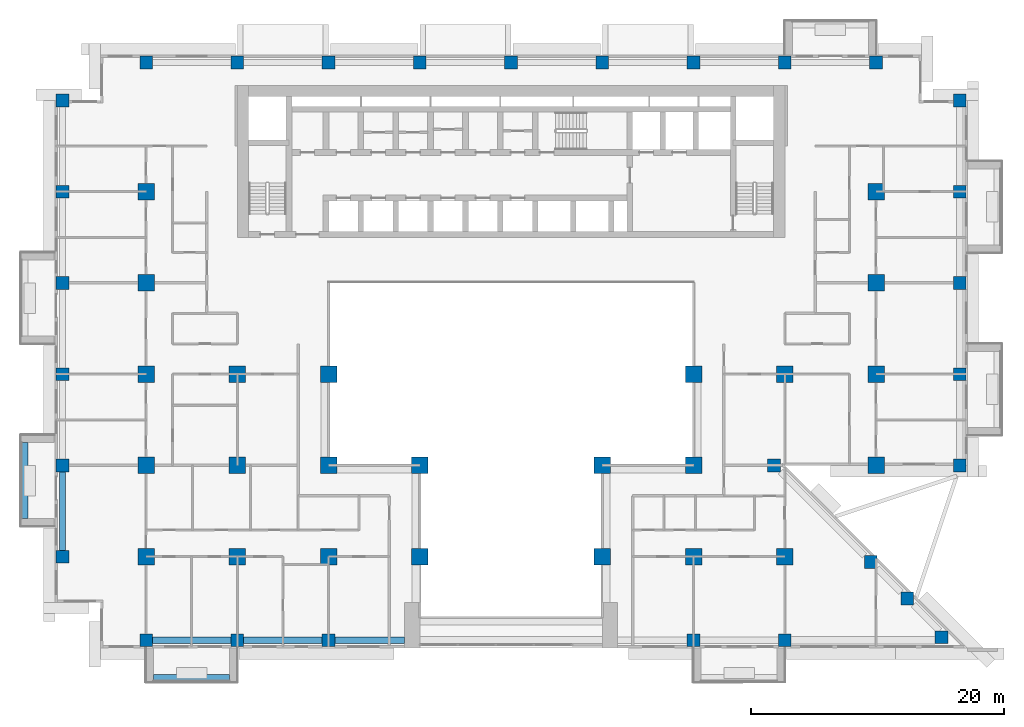
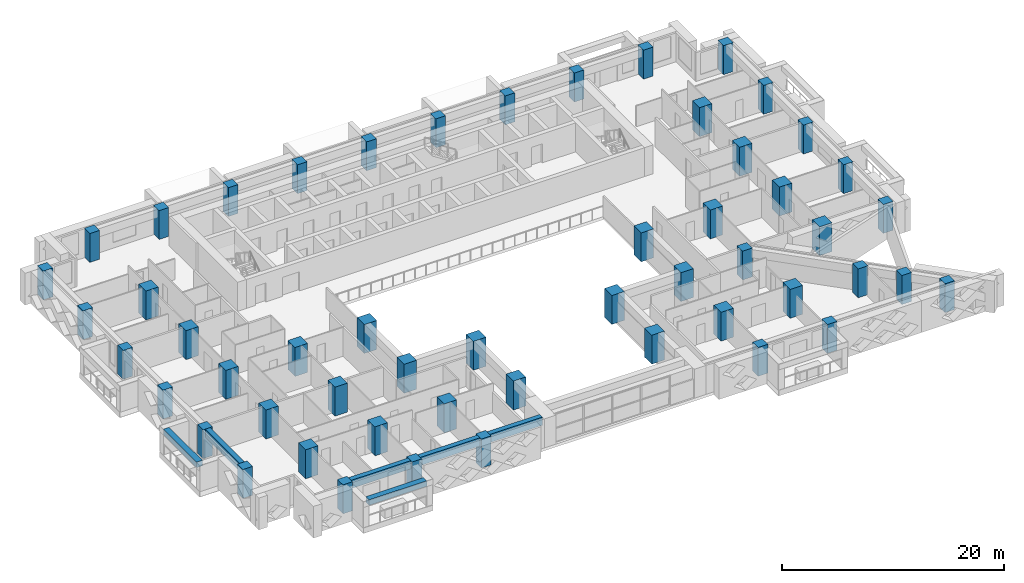
# One storey, part 1 of 16: 53 columns, 6 beams.
"""IFC4 building model written with IfcOpenShell, lengths in metres."""

from ifc_helpers import new_model, si_unit, direction, frame, origin, origin_2d, place, context, subcontext, project, spatial, rectangle, extrude, source, transform, mapped, material, material_profile, profile_set, type_object, element, save


model = new_model("IFC4")

# Units and contexts
model_context = context("Model", 3, precision=1e-05, world=origin(), true_north=direction((0.0, 1.0)))
body_context = subcontext(model_context, "Body", "Model", "MODEL_VIEW")
ifc_project = project(units=[si_unit("LENGTHUNIT", "METRE"), si_unit("AREAUNIT", "SQUARE_METRE"), si_unit("VOLUMEUNIT", "CUBIC_METRE"), si_unit("PLANEANGLEUNIT", "RADIAN"), si_unit("MASSUNIT", "GRAM", prefix="KILO")], contexts=[model_context])

# Site, building, storey
site_placement = place(None, origin())
site = spatial("IfcSite", under=ifc_project, at=site_placement, CompositionType="ELEMENT")
building_placement = place(site_placement, origin())
building = spatial("IfcBuilding", under=site, at=building_placement, Name="Saffron Iwan Residences", CompositionType="ELEMENT")
storey_placement = place(building_placement, frame((0.0, 0.0, 65.5)))
storey = spatial("IfcBuildingStorey", under=building, at=storey_placement, Name="L16", CompositionType="ELEMENT", Elevation=65.5)

# Columns
ifc_material_1 = material(Name="Concrete C60/75", Category="concrete")
ifc_material_profile_1 = material_profile(ifc_material_1, rectangle(XDim=1.0, YDim=1.0, at=origin_2d()), Name="RC 1000x1000")
ifc_profile_set_1 = profile_set([ifc_material_profile_1], Name="Concrete C60/75")
column_type_1 = type_object("IfcColumnType", Name="COL RC 1000x1000 C60/75 3180 HIGH", PredefinedType="COLUMN", material=ifc_profile_set_1)
shared_shape_1 = source(origin(), body_context, "Body", "SweptSolid", [
    extrude(rectangle(XDim=1.0, YDim=1.0, at=origin_2d()), origin(), (0.0, 0.0, 1.0), 3.179931640625),
])
for number, where, z_axis, x_axis, name in (
    (1, (21.60009765625, 34.199951171875, 0.0), (0.0, 0.0, 1.0), (1.0, 0.0, 0.0), "Column C038"),
    (2, (28.800048828125, 34.199951171875, 0.0), (0.0, 0.0, 1.0), (1.0, 0.0, 0.0), "Column C039"),
    (3, (36.0, 34.199951171875, 0.0), (0.0, 0.0, 1.0), (1.0, 0.0, 0.0), "Column C040"),
    (4, (64.800048828125, 34.199951171875, 0.0), (0.0, 0.0, 1.0), (1.0, 0.0, 0.0), "Column C041"),
    (5, (72.0, 34.199951171875, 0.0), (0.0, 0.0, 1.0), (1.0, 0.0, 0.0), "Column C042"),
    (6, (84.367431640625, 34.44189453125, 0.0), (0.0, 0.0, 1.0), (1.0, 0.0, 0.0), "Column C043"),
    (7, (81.65576171875, 37.49560546875, 0.0), (0.0, 0.0, 1.0), (1.0, 0.0, 0.0), "Column C044"),
    (8, (78.775634765625, 40.375732421875, 0.0), (0.0, 0.0, 1.0), (1.0, 0.0, 0.0), "Column C047"),
    (9, (15.0, 40.800048828125, 0.0), (0.0, 0.0, 1.0), (1.0, 0.0, 0.0), "Column C048"),
    (10, (15.0, 48.0, 0.0), (0.0, 0.0, 1.0), (1.0, 0.0, 0.0), "Column C061"),
    (11, (71.14990234375, 48.0, 0.0), (0.0, 0.0, 1.0), (1.0, 0.0, 0.0), "Column C070"),
    (12, (85.800048828125, 48.0, 0.0), (0.0, 0.0, 1.0), (1.0, 0.0, 0.0), "Column C074"),
    (13, (15.0, 55.199951171875, 0.0), (0.0, 0.0, 1.0), (1.0, 0.0, 0.0), "Column C077"),
    (14, (85.800048828125, 55.199951171875, 0.0), (0.0, 0.0, 1.0), (1.0, 0.0, 0.0), "Column C086"),
    (15, (15.0, 62.39990234375, 0.0), (0.0, 0.0, 1.0), (1.0, 0.0, 0.0), "Column C089"),
    (16, (85.800048828125, 62.39990234375, 0.0), (0.0, 0.0, 1.0), (1.0, 0.0, 0.0), "Column C094"),
    (17, (15.0, 69.60009765625, 0.0), (0.0, 0.0, 1.0), (1.0, 0.0, 0.0), "Column C097"),
    (18, (85.800048828125, 69.60009765625, 0.0), (0.0, 0.0, 1.0), (1.0, 0.0, 0.0), "Column C102"),
    (19, (15.0, 76.800048828125, 0.0), (0.0, 0.0, 1.0), (1.0, 0.0, 0.0), "Column C105"),
    (20, (85.800048828125, 76.800048828125, 0.0), (0.0, 0.0, 1.0), (1.0, 0.0, 0.0), "Column C110"),
    (21, (21.60009765625, 79.800048828125, 0.0), (0.0, 0.0, 1.0), (1.0, 0.0, 0.0), "Column C113"),
    (22, (28.800048828125, 79.800048828125, 0.0), (0.0, 0.0, 1.0), (1.0, 0.0, 0.0), "Column C115"),
    (23, (36.0, 79.800048828125, 0.0), (0.0, 0.0, 1.0), (1.0, 0.0, 0.0), "Column C116"),
    (24, (43.199951171875, 79.800048828125, 0.0), (0.0, 0.0, 1.0), (1.0, 0.0, 0.0), "Column C117"),
    (25, (50.39990234375, 79.800048828125, 0.0), (0.0, 0.0, 1.0), (1.0, 0.0, 0.0), "Column C118"),
    (26, (57.60009765625, 79.800048828125, 0.0), (0.0, 0.0, 1.0), (1.0, 0.0, 0.0), "Column C119"),
    (27, (64.800048828125, 79.800048828125, 0.0), (0.0, 0.0, 1.0), (1.0, 0.0, 0.0), "Column C120"),
    (28, (72.0, 79.800048828125, 0.0), (0.0, 0.0, 1.0), (1.0, 0.0, 0.0), "Column C121"),
    (29, (79.199951171875, 79.800048828125, 0.0), (0.0, 0.0, 1.0), (1.0, 0.0, 0.0), "Column C123"),
):
    element("IfcColumn", number, at=place(storey_placement, frame(where, z_axis=z_axis, x_axis=x_axis)), inside=storey, type_object=column_type_1, Name=name, PredefinedType="COLUMN", context=body_context, shape_type="MappedRepresentation", body=[
        mapped(shared_shape_1, transform((0.0, 0.0, 0.0))),
    ])
ifc_material_profile_2 = material_profile(ifc_material_1, rectangle(XDim=1.300048828125, YDim=1.300048828125, at=origin_2d()), Name="RC 1300x1300")
ifc_profile_set_2 = profile_set([ifc_material_profile_2], Name="Concrete C60/75")
column_type_2 = type_object("IfcColumnType", Name="COL RC 1300x1300 C60/75 3180 HIGH", PredefinedType="COLUMN", material=ifc_profile_set_2)
shared_shape_2 = source(origin(), body_context, "Body", "SweptSolid", [
    extrude(rectangle(XDim=1.300048828125, YDim=1.300048828125, at=origin_2d()), origin(), (0.0, 0.0, 1.0), 3.179931640625),
])
for number, where, z_axis, x_axis, name in (
    (30, (21.60009765625, 40.800048828125, 0.0), (0.0, 0.0, 1.0), (1.0, 0.0, 0.0), "Column C049"),
    (31, (28.800048828125, 40.800048828125, 0.0), (0.0, 0.0, 1.0), (1.0, 0.0, 0.0), "Column C051"),
    (32, (36.0, 40.800048828125, 0.0), (0.0, 0.0, 1.0), (1.0, 0.0, 0.0), "Column C052"),
    (33, (43.199951171875, 40.800048828125, 0.0), (0.0, 0.0, 1.0), (1.0, 0.0, 0.0), "Column C053"),
    (34, (57.60009765625, 40.800048828125, 0.0), (0.0, 0.0, 1.0), (1.0, 0.0, 0.0), "Column C054"),
    (35, (64.800048828125, 40.800048828125, 0.0), (0.0, 0.0, 1.0), (1.0, 0.0, 0.0), "Column C055"),
    (36, (72.0, 40.800048828125, 0.0), (0.0, 0.0, 1.0), (1.0, 0.0, 0.0), "Column C056"),
    (37, (21.60009765625, 48.0, 0.0), (0.0, 0.0, 1.0), (1.0, 0.0, 0.0), "Column C063"),
    (38, (28.800048828125, 48.0, 0.0), (0.0, 0.0, 1.0), (1.0, 0.0, 0.0), "Column C064"),
    (39, (36.0, 48.0, 0.0), (0.0, 0.0, 1.0), (1.0, 0.0, 0.0), "Column C065"),
    (40, (43.199951171875, 48.0, 0.0), (0.0, 0.0, 1.0), (1.0, 0.0, 0.0), "Column C066"),
    (41, (57.60009765625, 48.0, 0.0), (0.0, 0.0, 1.0), (1.0, 0.0, 0.0), "Column C068"),
    (42, (64.800048828125, 48.0, 0.0), (0.0, 0.0, 1.0), (1.0, 0.0, 0.0), "Column C069"),
    (43, (79.199951171875, 48.0, 0.0), (0.0, 0.0, 1.0), (1.0, 0.0, 0.0), "Column C072"),
    (44, (21.60009765625, 55.199951171875, 0.0), (0.0, 0.0, 1.0), (1.0, 0.0, 0.0), "Column C079"),
    (45, (28.800048828125, 55.199951171875, 0.0), (0.0, 0.0, 1.0), (1.0, 0.0, 0.0), "Column C080"),
    (46, (36.0, 55.199951171875, 0.0), (0.0, 0.0, 1.0), (1.0, 0.0, 0.0), "Column C081"),
    (47, (64.800048828125, 55.199951171875, 0.0), (0.0, 0.0, 1.0), (1.0, 0.0, 0.0), "Column C082"),
    (48, (72.0, 55.199951171875, 0.0), (0.0, 0.0, 1.0), (1.0, 0.0, 0.0), "Column C083"),
    (49, (79.199951171875, 55.199951171875, 0.0), (0.0, 0.0, 1.0), (1.0, 0.0, 0.0), "Column C084"),
    (50, (21.60009765625, 62.39990234375, 0.0), (0.0, 0.0, 1.0), (1.0, 0.0, 0.0), "Column C091"),
    (51, (79.199951171875, 62.39990234375, 0.0), (0.0, 0.0, 1.0), (1.0, 0.0, 0.0), "Column C092"),
    (52, (21.60009765625, 69.60009765625, 0.0), (0.0, 0.0, 1.0), (1.0, 0.0, 0.0), "Column C099"),
    (53, (79.199951171875, 69.60009765625, 0.0), (0.0, 0.0, 1.0), (1.0, 0.0, 0.0), "Column C100"),
):
    element("IfcColumn", number, at=place(storey_placement, frame(where, z_axis=z_axis, x_axis=x_axis)), inside=storey, type_object=column_type_2, Name=name, PredefinedType="COLUMN", context=body_context, shape_type="MappedRepresentation", body=[
        mapped(shared_shape_2, transform((0.0, 0.0, 0.0))),
    ])

# Beams
ifc_material_profile_3 = material_profile(ifc_material_1, rectangle(XDim=0.5, YDim=0.89990234375, at=origin_2d()), Name="RC 500x900")
ifc_profile_set_3 = profile_set([ifc_material_profile_3], Name="Concrete C60/75")
beam_type_1 = type_object("IfcBeamType", Name="SPANDREL BEAM RC 500x900 C60/75 TOP 3180", PredefinedType="SPANDREL", material=ifc_profile_set_3)
shared_shape_3 = source(origin(), body_context, "Body", "SweptSolid", [
    extrude(rectangle(XDim=0.5, YDim=0.89990234375, at=origin_2d()), origin(), (0.0, 0.0, 1.0), 6.199951171875),
])
for number, where, z_axis, x_axis, name in (
    (54, (28.300048828125, 34.199951171875, 2.72998046875), (-1.0, 0.0, 0.0), (0.0, -1.0, 0.0), "Spandrel beam"),
    (55, (35.5, 34.199951171875, 2.72998046875), (-1.0, 0.0, 0.0), (0.0, -1.0, 0.0), "Spandrel beam"),
    (56, (15.0, 41.300048828125, 2.72998046875), (0.0, 1.0, 0.0), (-1.0, 0.0, 0.0), "Spandrel beam"),
):
    element("IfcBeam", number, at=place(storey_placement, frame(where, z_axis=z_axis, x_axis=x_axis)), inside=storey, type_object=beam_type_1, Name=name, PredefinedType="SPANDREL", context=body_context, shape_type="MappedRepresentation", body=[
        mapped(shared_shape_3, transform((0.0, 0.0, 0.0))),
    ])
shared_shape_4 = source(origin(), body_context, "Body", "SweptSolid", [
    extrude(rectangle(XDim=0.5, YDim=0.89990234375, at=origin_2d()), origin(), (0.0, 0.0, 1.0), 5.5),
])
beam_placement = place(storey_placement, frame((42.0, 34.199951171875, 2.72998046875), z_axis=(-1.0, 0.0, 0.0), x_axis=(0.0, -1.0, 0.0)))
element("IfcBeam", 57, at=beam_placement, inside=storey, type_object=beam_type_1, Name="Spandrel beam", PredefinedType="SPANDREL", context=body_context, shape_type="MappedRepresentation", body=[
    mapped(shared_shape_4, transform((0.0, 0.0, 0.0))),
])
ifc_material_2 = material(Name="Concrete C50/60 white painted", Category="concrete")
ifc_material_profile_4 = material_profile(ifc_material_2, rectangle(XDim=0.60009765625, YDim=0.60009765625, at=origin_2d()), Name="BALCONY FASCIA BEAM 600 x 600")
ifc_profile_set_4 = profile_set([ifc_material_profile_4], Name="Concrete C50/60 white painted")
beam_type_2 = type_object("IfcBeamType", Name="BALCONY FASCIA BEAM 600 x 600", PredefinedType="BEAM", material=ifc_profile_set_4)
shared_shape_5 = source(origin(), body_context, "Body", "SweptSolid", [
    extrude(rectangle(XDim=0.60009765625, YDim=0.60009765625, at=origin_2d()), origin(), (0.0, 0.0, 1.0), 6.0),
])
for number, where, z_axis, x_axis, name in (
    (58, (12.0, 49.800048828125, 2.550048828125), (0.0, -1.0, 0.0), (1.0, 0.0, 0.0), "Balcony fascia beam L16 F8-1"),
    (59, (22.199951171875, 31.199951171875, 2.550048828125), (1.0, 0.0, 0.0), (0.0, 1.0, 0.0), "Balcony fascia beam L16 11-0"),
):
    element("IfcBeam", number, at=place(storey_placement, frame(where, z_axis=z_axis, x_axis=x_axis)), inside=storey, type_object=beam_type_2, Name=name, PredefinedType="BEAM", context=body_context, shape_type="MappedRepresentation", body=[
        mapped(shared_shape_5, transform((0.0, 0.0, 0.0))),
    ])

save(model, "model.ifc")
